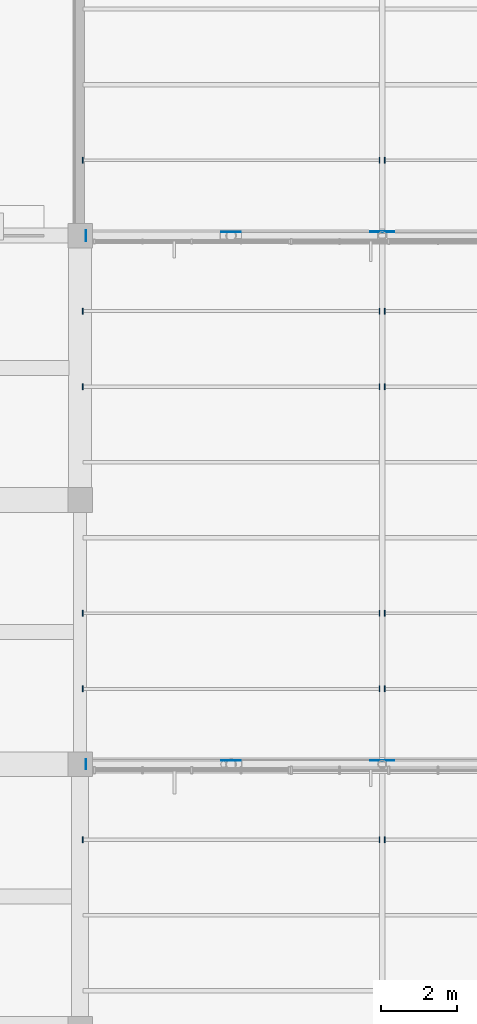
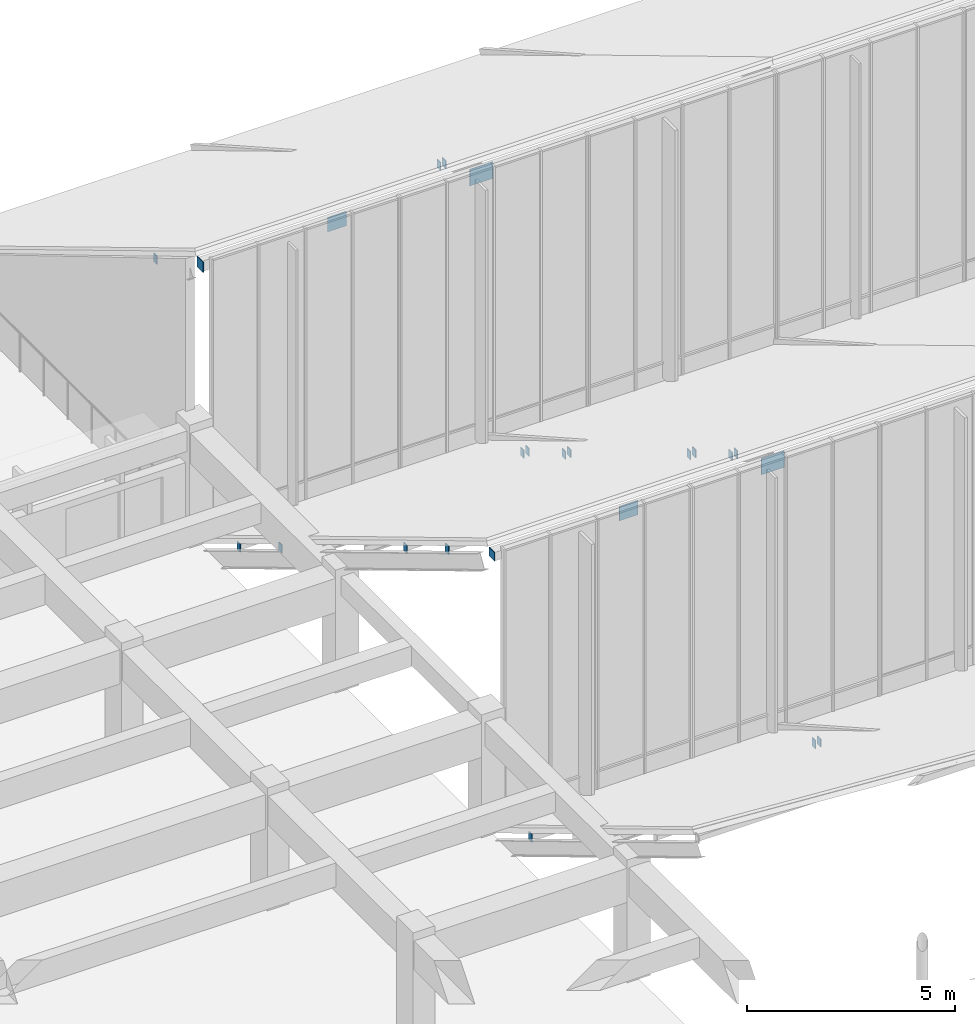
# One storey, part 98 of 155: 24 plates.
"""IFC4 building model written with IfcOpenShell, lengths in metres."""

from ifc_helpers import new_model, si_unit, direction, frame, origin, origin_2d, place, context, subcontext, project, spatial, rectangle, extrude, material, layer, layer_set, type_object, element, save


model = new_model("IFC4")

# Units and contexts
model_context = context("Model", 3, precision=1e-05, world=origin(), true_north=direction((0.0, 1.0)))
body_context = subcontext(model_context, "Body", "Model", "MODEL_VIEW")
ifc_project = project(units=[si_unit("LENGTHUNIT", "METRE"), si_unit("AREAUNIT", "SQUARE_METRE"), si_unit("VOLUMEUNIT", "CUBIC_METRE"), si_unit("PLANEANGLEUNIT", "RADIAN"), si_unit("MASSUNIT", "GRAM", prefix="KILO")], contexts=[model_context])

# Site, building, storey
site_placement = place(None, origin())
site = spatial("IfcSite", under=ifc_project, at=site_placement, CompositionType="ELEMENT")
building_placement = place(site_placement, origin())
building = spatial("IfcBuilding", under=site, at=building_placement, Name="Larkveld Mobility Hub", CompositionType="ELEMENT")
storey_placement = place(building_placement, frame((0.0, 0.0, 8.39990234375)))
storey = spatial("IfcBuildingStorey", under=building, at=storey_placement, Name="L02", CompositionType="ELEMENT", Elevation=8.39990234375)

# Plates
ifc_material = material(Name="Steel S355JR", Category="steel")
ifc_layer_1 = layer(ifc_material, 0.02001953125, Name="Steel S355JR", Category="steel")
ifc_layer_set_1 = layer_set([ifc_layer_1], Name="Steel S355JR")
plate_type_1 = type_object("IfcPlateType", Name="PT-EC01", PredefinedType="USERDEFINED", material=ifc_layer_set_1)
plate_1_placement = place(storey_placement, frame((152.159912109375, 112.0, 7.80029296875), z_axis=(0.0, 0.0, 1.0), x_axis=(1.0, 0.0, 0.0)))
element("IfcPlate", 1, at=plate_1_placement, inside=storey, type_object=plate_type_1, Name="Hollow Chord End Cap Plate EC-062", ObjectType="GUSSET PLATE", PredefinedType="USERDEFINED", context=body_context, shape_type="SweptSolid", body=[
    extrude(rectangle(XDim=0.02001953125, YDim=0.300048828125, at=origin_2d()), origin(), (0.0, 0.0, 1.0), 0.300048828125),
])
ifc_layer_2 = layer(ifc_material, 0.02001953125, Name="Steel S355JR", Category="steel")
ifc_layer_set_2 = layer_set([ifc_layer_2], Name="Steel S355JR")
plate_type_2 = type_object("IfcPlateType", Name="PT-EC02", PredefinedType="USERDEFINED", material=ifc_layer_set_2)
plate_2_placement = place(storey_placement, frame((152.159912109375, 98.0, 7.8203125), z_axis=(0.0, 0.0, 1.0), x_axis=(1.0, 0.0, 0.0)))
element("IfcPlate", 2, at=plate_2_placement, inside=storey, type_object=plate_type_2, Name="Hollow Chord End Cap Plate EC-053", ObjectType="GUSSET PLATE", PredefinedType="USERDEFINED", context=body_context, shape_type="SweptSolid", body=[
    extrude(rectangle(XDim=0.02001953125, YDim=0.260009765625, at=origin_2d()), origin(), (0.0, 0.0, 1.0), 0.260009765625),
])
for number, where, z_axis, x_axis, name in (
    (3, (152.072021484375, 96.0, 0.787109375), (0.0, 0.0, 1.0), (1.0, 0.0, 0.0), "Hollow Purlin End Cap Plate PEC-200"),
    (4, (159.927978515625, 96.0, 0.787109375), (0.0, 0.0, 1.0), (1.0, 0.0, 0.0), "Hollow Purlin End Cap Plate PEC-201"),
    (5, (160.072021484375, 96.0, 0.787109375), (0.0, 0.0, 1.0), (1.0, 0.0, 0.0), "Hollow Purlin End Cap Plate PEC-202"),
    (6, (152.072021484375, 100.0, 6.80712890625), (0.0, 0.0, 1.0), (1.0, 0.0, 0.0), "Hollow Purlin End Cap Plate PEC-208"),
    (7, (159.927978515625, 100.0, 6.80712890625), (0.0, 0.0, 1.0), (1.0, 0.0, 0.0), "Hollow Purlin End Cap Plate PEC-209"),
    (8, (160.072021484375, 100.0, 6.80712890625), (0.0, 0.0, 1.0), (1.0, 0.0, 0.0), "Hollow Purlin End Cap Plate PEC-210"),
    (9, (152.072021484375, 102.0, 5.6171875), (0.0, 0.0, 1.0), (1.0, 0.0, 0.0), "Hollow Purlin End Cap Plate PEC-216"),
    (10, (159.927978515625, 102.0, 5.6171875), (0.0, 0.0, 1.0), (1.0, 0.0, 0.0), "Hollow Purlin End Cap Plate PEC-217"),
    (11, (160.072021484375, 102.0, 5.6171875), (0.0, 0.0, 1.0), (1.0, 0.0, 0.0), "Hollow Purlin End Cap Plate PEC-218"),
    (12, (152.072021484375, 108.0, 1.9873046875), (0.0, 0.0, 1.0), (1.0, 0.0, 0.0), "Hollow Purlin End Cap Plate PEC-224"),
    (13, (159.927978515625, 108.0, 1.9873046875), (0.0, 0.0, 1.0), (1.0, 0.0, 0.0), "Hollow Purlin End Cap Plate PEC-225"),
    (14, (160.072021484375, 108.0, 1.9873046875), (0.0, 0.0, 1.0), (1.0, 0.0, 0.0), "Hollow Purlin End Cap Plate PEC-226"),
    (15, (152.072021484375, 110.0, 0.80712890625), (0.0, 0.0, 1.0), (1.0, 0.0, 0.0), "Hollow Purlin End Cap Plate PEC-232"),
    (16, (159.927978515625, 110.0, 0.80712890625), (0.0, 0.0, 1.0), (1.0, 0.0, 0.0), "Hollow Purlin End Cap Plate PEC-233"),
    (17, (160.072021484375, 110.0, 0.80712890625), (0.0, 0.0, 1.0), (1.0, 0.0, 0.0), "Hollow Purlin End Cap Plate PEC-234"),
    (18, (152.072021484375, 114.0, 6.81689453125), (0.0, 0.0, 1.0), (1.0, 0.0, 0.0), "Hollow Purlin End Cap Plate PEC-240"),
    (19, (159.927978515625, 114.0, 6.81689453125), (0.0, 0.0, 1.0), (1.0, 0.0, 0.0), "Hollow Purlin End Cap Plate PEC-241"),
    (20, (160.072021484375, 114.0, 6.81689453125), (0.0, 0.0, 1.0), (1.0, 0.0, 0.0), "Hollow Purlin End Cap Plate PEC-242"),
):
    element("IfcPlate", number, at=place(storey_placement, frame(where, z_axis=z_axis, x_axis=x_axis)), inside=storey, type_object=plate_type_2, Name=name, ObjectType="GUSSET PLATE", PredefinedType="USERDEFINED", context=body_context, shape_type="SweptSolid", body=[
        extrude(rectangle(XDim=0.02001953125, YDim=0.159912109375, at=origin_2d()), origin(), (0.0, 0.0, 1.0), 0.239990234375),
    ])
ifc_layer_3 = layer(ifc_material, 0.02001953125, Name="Steel S355JR", Category="steel")
ifc_layer_set_3 = layer_set([ifc_layer_3], Name="Steel S355JR")
plate_type_3 = type_object("IfcPlateType", Name="PT-GS01", PredefinedType="USERDEFINED", material=ifc_layer_set_3)
for number, where, z_axis, x_axis, name in (
    (21, (156.0, 98.10009765625, 7.615234375), (0.0, 0.0, 1.0), (1.0, 0.0, 0.0), "Truss Node Gusset Plate TN-046"),
    (22, (156.0, 112.10009765625, 7.590087890625), (0.0, 0.0, 1.0), (1.0, 0.0, 0.0), "Truss Node Gusset Plate TN-055"),
):
    element("IfcPlate", number, at=place(storey_placement, frame(where, z_axis=z_axis, x_axis=x_axis)), inside=storey, type_object=plate_type_3, Name=name, ObjectType="GUSSET PLATE", PredefinedType="USERDEFINED", context=body_context, shape_type="SweptSolid", body=[
        extrude(rectangle(XDim=0.52001953125, YDim=0.02001953125, at=origin_2d()), origin(), (0.0, 0.0, 1.0), 0.419921875),
    ])
ifc_layer_4 = layer(ifc_material, 0.02392578125, Name="Steel S355JR", Category="steel")
ifc_layer_set_4 = layer_set([ifc_layer_4], Name="Steel S355JR")
plate_type_4 = type_object("IfcPlateType", Name="PT-GS02", PredefinedType="USERDEFINED", material=ifc_layer_set_4)
for number, where, z_axis, x_axis, name in (
    (23, (160.0, 98.10009765625, 7.585205078125), (0.0, 0.0, 1.0), (1.0, 0.0, 0.0), "Truss Node Gusset Plate TN-047"),
    (24, (160.0, 112.10009765625, 7.56005859375), (0.0, 0.0, 1.0), (1.0, 0.0, 0.0), "Truss Node Gusset Plate TN-056"),
):
    element("IfcPlate", number, at=place(storey_placement, frame(where, z_axis=z_axis, x_axis=x_axis)), inside=storey, type_object=plate_type_4, Name=name, ObjectType="GUSSET PLATE", PredefinedType="USERDEFINED", context=body_context, shape_type="SweptSolid", body=[
        extrude(rectangle(XDim=0.639892578125, YDim=0.02392578125, at=origin_2d()), origin(), (0.0, 0.0, 1.0), 0.47998046875),
    ])

save(model, "model.ifc")
